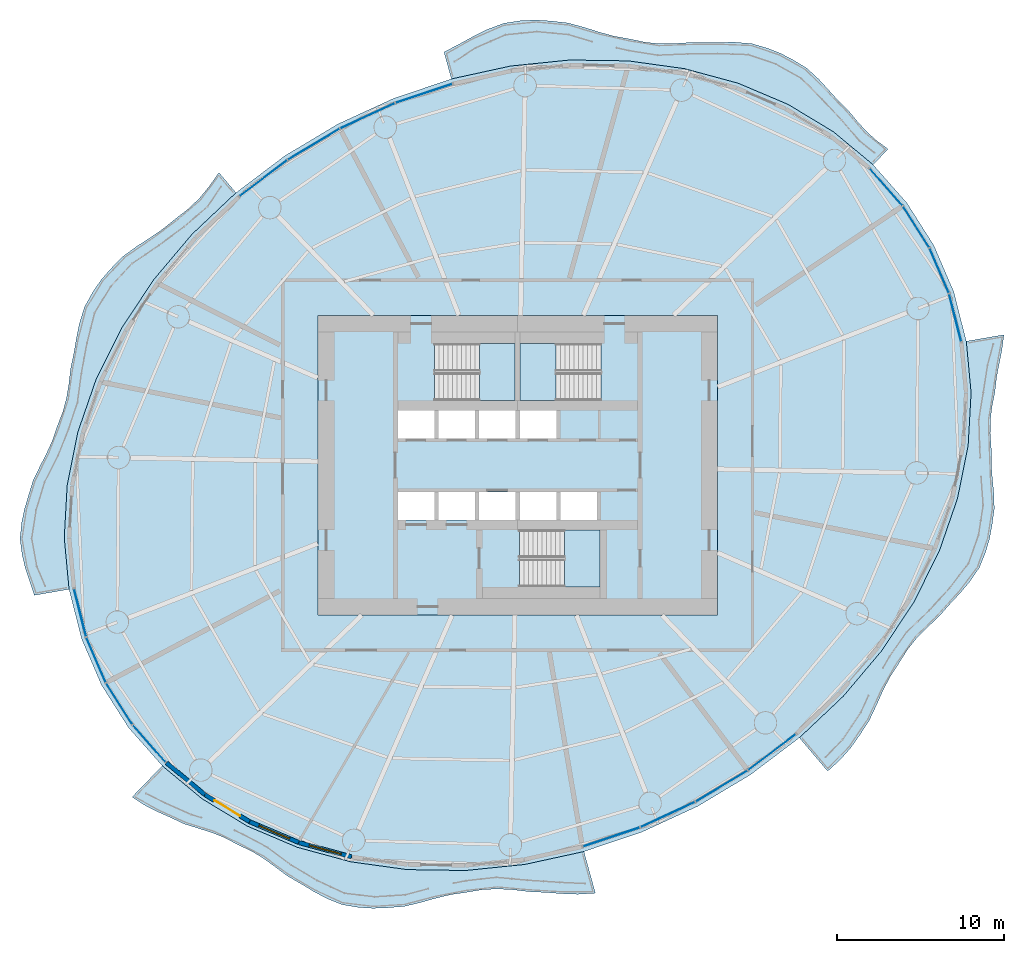
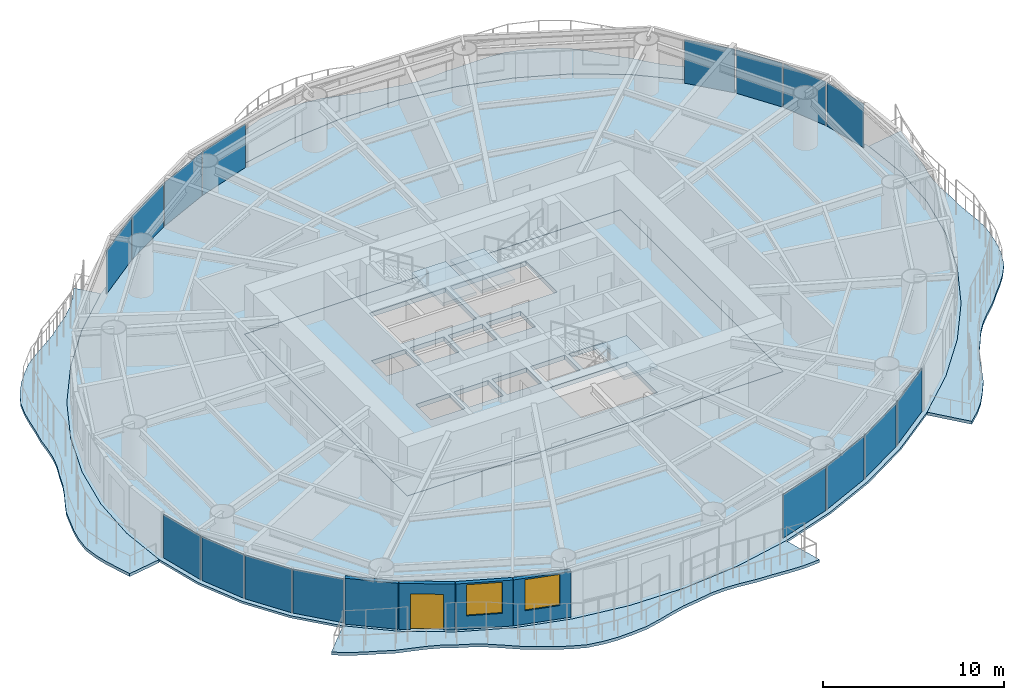
# One storey, part 7 of 16: 16 plates, 9 slabs, 4 walls, 2 windows, 1 door, 3 openings, 19 elements without a shape of their own.
"""IFC4 building model written with IfcOpenShell, lengths in metres."""

from ifc_helpers import new_model, si_unit, direction, frame, frame_2d, origin, origin_2d, place, context, subcontext, project, spatial, polyline, rectangle, outline, extrude, material, layer, layer_set, type_object, element, fill, aggregate, save


model = new_model("IFC4")

# Units and contexts
model_context = context("Model", 3, precision=1e-05, world=origin(), true_north=direction((0.0, 1.0)))
body_context = subcontext(model_context, "Body", "Model", "MODEL_VIEW")
ifc_project = project(units=[si_unit("LENGTHUNIT", "METRE"), si_unit("AREAUNIT", "SQUARE_METRE"), si_unit("VOLUMEUNIT", "CUBIC_METRE"), si_unit("PLANEANGLEUNIT", "RADIAN"), si_unit("MASSUNIT", "GRAM", prefix="KILO")], contexts=[model_context])

# Site, building, storey
site_placement = place(None, origin())
site = spatial("IfcSite", under=ifc_project, at=site_placement, CompositionType="ELEMENT")
building_placement = place(site_placement, origin())
building = spatial("IfcBuilding", under=site, at=building_placement, Name="Vermilion Reach Broadcast Tower", CompositionType="ELEMENT")
storey_placement = place(building_placement, frame((0.0, 0.0, 147.0)))
storey = spatial("IfcBuildingStorey", under=building, at=storey_placement, Name="L34", CompositionType="ELEMENT", Elevation=147.0)

# Slabs
ifc_material_1 = material(Name="Concrete C40/50", Category="concrete")
ifc_layer_1 = layer(ifc_material_1, 0.199951171875)
ifc_layer_set_1 = layer_set([ifc_layer_1], Name="Balcony slab 200")
slab_type_1 = type_object("IfcSlabType", Name="Balcony slab 200", PredefinedType="FLOOR", material=ifc_layer_set_1)
placement_1 = place(storey_placement, frame((0.0, 0.0, -0.199951171875)))
element("IfcSlab", 1, at=placement_1, inside=storey, type_object=slab_type_1, Name="Balcony slab L34 group 1", PredefinedType="FLOOR", context=body_context, shape_type="SweptSolid", body=[
    extrude(outline(polyline([(15.338623046875, 18.047607421875), (12.9482421875, 20.029296875), (10.23388671875, 21.66796875), (7.24169921875, 22.93603515625), (4.022705078125, 23.8115234375), (0.632568359375, 24.27978515625), (-2.871337890625, 24.33251953125), (-6.428466796875, 23.968994140625), (-9.978515625, 23.195068359375), (-10.425048828125, 24.811767578125), (-9.505126953125, 25.28857421875), (-8.67529296875, 25.746337890625), (-7.836669921875, 26.1640625), (-6.83837890625, 26.5380859375), (-5.80859375, 26.696044921875), (-4.9140625, 26.734619140625), (-4.009521484375, 26.67626953125), (-2.9677734375, 26.556884765625), (-1.9658203125, 26.28173828125), (-1.09375, 26.006591796875), (-0.22119140625, 25.767333984375), (0.73291015625, 25.595703125), (1.6513671875, 25.402587890625), (2.503173828125, 25.31591796875), (3.367431640625, 25.3203125), (4.343994140625, 25.385009765625), (5.310791015625, 25.36962890625), (6.18212890625, 25.39501953125), (7.04833984375, 25.402099609375), (8.065673828125, 25.31689453125), (9.012939453125, 25.03369140625), (9.77099609375, 24.740234375), (10.4951171875, 24.36669921875), (11.348876953125, 23.85205078125), (12.074951171875, 23.183837890625), (12.633544921875, 22.5751953125), (13.18798828125, 21.9599609375), (13.8525390625, 21.30224609375), (14.430908203125, 20.6015625), (14.960693359375, 20.0244140625), (15.5390625, 19.505859375), (16.24560546875, 18.984130859375), (15.338623046875, 18.047607421875)])), origin(), (0.0, 0.0, 1.0), 0.199951171875),
])
element("IfcSlab", 2, at=placement_1, inside=storey, type_object=slab_type_1, Name="Balcony slab L34 group 2", PredefinedType="FLOOR", context=body_context, shape_type="SweptSolid", body=[
    extrude(outline(polyline([(-22.913818359375, 16.363525390625), (-25.554443359375, 13.867919921875), (-27.8603515625, 11.135009765625), (-29.792236328125, 8.21142578125), (-31.317138671875, 5.1474609375), (-32.40869140625, 1.995361328125), (-33.048583984375, -1.19091796875), (-33.225341796875, -4.356689453125), (-32.9365234375, -7.447998046875), (-35.026123046875, -7.8076171875), (-35.32958984375, -6.89208984375), (-35.574462890625, -6.13525390625), (-35.7568359375, -5.372802734375), (-35.88232421875, -4.40625), (-35.78076171875, -3.419921875), (-35.613037109375, -2.63525390625), (-35.382568359375, -1.854248046875), (-35.103271484375, -0.928466796875), (-34.67236328125, -0.0361328125), (-34.286376953125, 0.715087890625), (-33.9443359375, 1.47509765625), (-33.65185546875, 2.333740234375), (-33.317626953125, 3.192626953125), (-33.098388671875, 3.999267578125), (-32.95849609375, 4.83349609375), (-32.84619140625, 5.78955078125), (-32.64306640625, 6.762939453125), (-32.492431640625, 7.643798828125), (-32.315673828125, 8.511474609375), (-32.014404296875, 9.4921875), (-31.51513671875, 10.400146484375), (-31.0185546875, 11.1220703125), (-30.4404296875, 11.7900390625), (-29.7197265625, 12.5263671875), (-28.861572265625, 13.1494140625), (-28.077880859375, 13.657958984375), (-27.31201171875, 14.181396484375), (-26.54345703125, 14.802734375), (-25.759521484375, 15.407470703125), (-25.10498046875, 16.037353515625), (-24.523193359375, 16.744140625), (-23.9384765625, 17.574462890625), (-22.913818359375, 16.363525390625)])), origin(), (0.0, 0.0, 1.0), 0.199951171875),
])
element("IfcSlab", 3, at=placement_1, inside=storey, type_object=slab_type_1, Name="Balcony slab L34 group 3", PredefinedType="FLOOR", context=body_context, shape_type="SweptSolid", body=[
    extrude(outline(polyline([(-27.338623046875, -18.047607421875), (-24.9482421875, -20.029296875), (-22.23388671875, -21.66796875), (-19.24169921875, -22.93603515625), (-16.022705078125, -23.8115234375), (-12.632568359375, -24.27978515625), (-9.128662109375, -24.33251953125), (-5.571533203125, -23.968994140625), (-2.021484375, -23.195068359375), (-1.331298828125, -25.6943359375), (-2.391845703125, -25.761474609375), (-3.3291015625, -25.72607421875), (-4.274658203125, -25.653564453125), (-5.310302734375, -25.605224609375), (-6.31494140625, -25.487548828125), (-7.218505859375, -25.4375), (-8.1123046875, -25.485595703125), (-9.07177734375, -25.64599609375), (-10.02685546875, -25.785400390625), (-10.906005859375, -25.995849609375), (-11.785888671875, -26.24365234375), (-12.801025390625, -26.489501953125), (-13.8125, -26.570556640625), (-14.68115234375, -26.6044921875), (-15.53759765625, -26.55224609375), (-16.547607421875, -26.38134765625), (-17.4833984375, -26.003662109375), (-18.238037109375, -25.600830078125), (-18.98046875, -25.15283203125), (-19.83740234375, -24.6572265625), (-20.60888671875, -24.080078125), (-21.28466796875, -23.592529296875), (-21.987060546875, -23.16796875), (-22.8037109375, -22.78466796875), (-23.584716796875, -22.3720703125), (-24.329345703125, -22.0712890625), (-25.105712890625, -21.823486328125), (-26.020263671875, -21.538330078125), (-26.87451171875, -21.136474609375), (-27.613037109375, -20.811279296875), (-28.325927734375, -20.455078125), (-29.155517578125, -19.923583984375), (-27.338623046875, -18.047607421875)])), origin(), (0.0, 0.0, 1.0), 0.199951171875),
])
element("IfcSlab", 4, at=placement_1, inside=storey, type_object=slab_type_1, Name="Balcony slab L34 group 4", PredefinedType="FLOOR", context=body_context, shape_type="SweptSolid", body=[
    extrude(outline(polyline([(10.913818359375, -16.363525390625), (13.554443359375, -13.867919921875), (15.8603515625, -11.135009765625), (17.792236328125, -8.21142578125), (19.317138671875, -5.1474609375), (20.40869140625, -1.995361328125), (21.048583984375, 1.19091796875), (21.225341796875, 4.356689453125), (20.9365234375, 7.447998046875), (23.200927734375, 7.837646484375), (23.068115234375, 6.86767578125), (22.905517578125, 6.07275390625), (22.756103515625, 5.279296875), (22.655029296875, 4.38330078125), (22.478759765625, 3.49267578125), (22.385498046875, 2.703857421875), (22.374755859375, 1.91064453125), (22.437255859375, 1.013427734375), (22.437255859375, 0.083251953125), (22.501953125, -0.75830078125), (22.583984375, -1.603515625), (22.62255859375, -2.59814453125), (22.48388671875, -3.5966796875), (22.329833984375, -4.42578125), (22.09375, -5.2265625), (21.716552734375, -6.1552734375), (21.134033203125, -7.00732421875), (20.5634765625, -7.67919921875), (19.956787109375, -8.3330078125), (19.297607421875, -9.0791015625), (18.561767578125, -9.77001953125), (17.938720703125, -10.408203125), (17.3896484375, -11.095703125), (16.88330078125, -11.900634765625), (16.35205078125, -12.719482421875), (15.93212890625, -13.534912109375), (15.55224609375, -14.384033203125), (15.105224609375, -15.333740234375), (14.52734375, -16.2197265625), (13.991455078125, -16.97509765625), (13.390625, -17.661865234375), (12.611328125, -18.369384765625), (10.913818359375, -16.363525390625)])), origin(), (0.0, 0.0, 1.0), 0.199951171875),
])
ifc_material_2 = material(Name="Concrete C40", Category="concrete")
ifc_layer_2 = layer(ifc_material_2, 0.300048828125)
ifc_layer_set_2 = layer_set([ifc_layer_2], Name="Core floor slab 300 mm Concrete C40")
slab_type_2 = type_object("IfcSlabType", Name="Core floor slab 300 mm Concrete C40", PredefinedType="FLOOR", material=ifc_layer_set_2)
slab_5_placement = place(storey_placement, frame((0.0, 0.0, -0.300048828125)))
element("IfcSlab", 5, at=slab_5_placement, inside=storey, type_object=slab_type_2, Name="L34 core floor", PredefinedType="FLOOR", context=body_context, shape_type="SweptSolid", body=[
    extrude(outline(polyline([(-18.0, -9.0), (6.0, -9.0), (6.0, 9.0), (-18.0, 9.0), (-18.0, -9.0)]), holes=[polyline([(-13.199951171875, 1.60009765625), (-11.00830078125, 1.60009765625), (-11.00830078125, 3.280029296875), (-13.199951171875, 3.280029296875), (-13.199951171875, 1.60009765625)]), polyline([(-10.75830078125, 1.60009765625), (-8.566650390625, 1.60009765625), (-8.566650390625, 3.280029296875), (-10.75830078125, 3.280029296875), (-10.75830078125, 1.60009765625)]), polyline([(-8.316650390625, 1.60009765625), (-6.125, 1.60009765625), (-6.125, 3.280029296875), (-8.316650390625, 3.280029296875), (-8.316650390625, 1.60009765625)]), polyline([(-5.875, 1.60009765625), (-3.683349609375, 1.60009765625), (-3.683349609375, 3.280029296875), (-5.875, 3.280029296875), (-5.875, 1.60009765625)]), polyline([(-13.199951171875, -3.280029296875), (-11.00830078125, -3.280029296875), (-11.00830078125, -1.60009765625), (-13.199951171875, -1.60009765625), (-13.199951171875, -3.280029296875)]), polyline([(-10.75830078125, -3.280029296875), (-8.566650390625, -3.280029296875), (-8.566650390625, -1.60009765625), (-10.75830078125, -1.60009765625), (-10.75830078125, -3.280029296875)]), polyline([(-8.316650390625, -3.280029296875), (-6.125, -3.280029296875), (-6.125, -1.60009765625), (-8.316650390625, -1.60009765625), (-8.316650390625, -3.280029296875)]), polyline([(-5.875, -3.280029296875), (-3.683349609375, -3.280029296875), (-3.683349609375, -1.60009765625), (-5.875, -1.60009765625), (-5.875, -3.280029296875)]), polyline([(-3.433349609375, -3.280029296875), (-1.24169921875, -3.280029296875), (-1.24169921875, -1.60009765625), (-3.433349609375, -1.60009765625), (-3.433349609375, -3.280029296875)]), polyline([(-10.999267578125, 3.8798828125), (-6.14990234375, 3.8798828125), (-6.14990234375, 7.300048828125), (-10.999267578125, 7.300048828125), (-10.999267578125, 3.8798828125)]), polyline([(-1.000732421875, 7.300048828125), (-5.85009765625, 7.300048828125), (-5.85009765625, 3.8798828125), (-1.000732421875, 3.8798828125), (-1.000732421875, 7.300048828125)]), polyline([(-5.8994140625, -7.300048828125), (-1.050048828125, -7.300048828125), (-1.050048828125, -3.8798828125), (-5.8994140625, -3.8798828125), (-5.8994140625, -7.300048828125)])]), origin(), (0.0, 0.0, 1.0), 0.300048828125),
])

# Stair, slab
ifc_material_3 = material(Name="Concrete C40", Category="concrete")
stair_type = type_object("IfcStairType", Name="Exit stair RC 22 risers 164 mm", PredefinedType="HALF_TURN_STAIR", material=ifc_material_3)
placement_2 = place(storey_placement, origin())
stair_1 = element("IfcStair", 6, at=placement_2, inside=storey, type_object=stair_type, Name="L34 Exit stair ST1", PredefinedType="HALF_TURN_STAIR")
ifc_material_4 = material(Name="Concrete C40", Category="concrete")
ifc_layer_3 = layer(ifc_material_4, 0.199951171875)
ifc_layer_set_3 = layer_set([ifc_layer_3], Name="Exit stair landing Concrete C40")
slab_type_3 = type_object("IfcSlabType", Name="Exit stair landing Concrete C40", PredefinedType="LANDING", material=ifc_layer_set_3)
placement_3 = place(storey_placement, frame((0.0, 0.0, 1.60009765625)))
slab_6 = element("IfcSlab", 7, at=placement_3, type_object=slab_type_3, Name="ST1 landing 1", PredefinedType="LANDING", context=body_context, shape_type="SweptSolid", body=[
    extrude(outline(polyline([(-8.300048828125, 3.8798828125), (-6.14990234375, 3.8798828125), (-6.14990234375, 7.300048828125), (-8.300048828125, 7.300048828125), (-8.300048828125, 3.8798828125)])), origin(), (0.0, 0.0, 1.0), 0.199951171875),
])
aggregate(stair_1, [slab_6])

stair_2 = element("IfcStair", 8, at=placement_2, inside=storey, type_object=stair_type, Name="L34 Exit stair ST2", PredefinedType="HALF_TURN_STAIR")
slab_7 = element("IfcSlab", 9, at=placement_3, type_object=slab_type_3, Name="ST2 landing 1", PredefinedType="LANDING", context=body_context, shape_type="SweptSolid", body=[
    extrude(outline(polyline([(-3.699951171875, 7.300048828125), (-5.85009765625, 7.300048828125), (-5.85009765625, 3.8798828125), (-3.699951171875, 3.8798828125), (-3.699951171875, 7.300048828125)])), origin(), (0.0, 0.0, 1.0), 0.199951171875),
])
aggregate(stair_2, [slab_7])

stair_3 = element("IfcStair", 10, at=placement_2, inside=storey, type_object=stair_type, Name="L34 Exit stair ST3", PredefinedType="HALF_TURN_STAIR")
slab_8 = element("IfcSlab", 11, at=placement_3, type_object=slab_type_3, Name="ST3 landing 1", PredefinedType="LANDING", context=body_context, shape_type="SweptSolid", body=[
    extrude(outline(polyline([(-3.199951171875, -7.300048828125), (-1.050048828125, -7.300048828125), (-1.050048828125, -3.8798828125), (-3.199951171875, -3.8798828125), (-3.199951171875, -7.300048828125)])), origin(), (0.0, 0.0, 1.0), 0.199951171875),
])
aggregate(stair_3, [slab_8])

# Slab
ifc_material_5 = material(Name="Concrete C40", Category="concrete")
ifc_layer_4 = layer(ifc_material_5, 0.14990234375)
ifc_layer_set_4 = layer_set([ifc_layer_4], Name="Floor slab Concrete C40 composite 150")
slab_type_4 = type_object("IfcSlabType", Name="Floor slab Concrete C40 composite 150", PredefinedType="FLOOR", material=ifc_layer_set_4)
slab_9_placement = place(storey_placement, frame((0.0, 0.0, -0.14990234375)))
element("IfcSlab", 12, at=slab_9_placement, inside=storey, type_object=slab_type_4, Name="Floor slab L34", PredefinedType="FLOOR", context=body_context, shape_type="SweptSolid", body=[
    extrude(outline(polyline([(18.989013671875, 13.197509765625), (17.36376953125, 15.75732421875), (15.338623046875, 18.047607421875), (12.9482421875, 20.029296875), (10.23388671875, 21.66796875), (7.24169921875, 22.93603515625), (4.022705078125, 23.8115234375), (0.632568359375, 24.27978515625), (-2.871337890625, 24.33251953125), (-6.428466796875, 23.968994140625), (-9.978515625, 23.195068359375), (-13.46044921875, 22.024658203125), (-16.814697265625, 20.47705078125), (-19.98388671875, 18.579345703125), (-22.913818359375, 16.363525390625), (-25.554443359375, 13.867919921875), (-27.8603515625, 11.135009765625), (-29.792236328125, 8.21142578125), (-31.317138671875, 5.1474609375), (-32.40869140625, 1.995361328125), (-33.048583984375, -1.19091796875), (-33.225341796875, -4.356689453125), (-32.9365234375, -7.447998046875), (-32.186767578125, -10.411865234375), (-30.989013671875, -13.197509765625), (-29.36376953125, -15.75732421875), (-27.338623046875, -18.047607421875), (-24.9482421875, -20.029296875), (-22.23388671875, -21.66796875), (-19.24169921875, -22.93603515625), (-16.022705078125, -23.8115234375), (-12.632568359375, -24.27978515625), (-9.128662109375, -24.33251953125), (-5.571533203125, -23.968994140625), (-2.021484375, -23.195068359375), (1.46044921875, -22.024658203125), (4.814697265625, -20.47705078125), (7.98388671875, -18.579345703125), (10.913818359375, -16.363525390625), (13.554443359375, -13.867919921875), (15.8603515625, -11.135009765625), (17.792236328125, -8.21142578125), (19.317138671875, -5.1474609375), (20.40869140625, -1.995361328125), (21.048583984375, 1.19091796875), (21.225341796875, 4.356689453125), (20.9365234375, 7.447998046875), (20.186767578125, 10.411865234375), (18.989013671875, 13.197509765625)]), holes=[polyline([(-18.0, -9.0), (6.0, -9.0), (6.0, 9.0), (-18.0, 9.0), (-18.0, -9.0)])]), origin(), (0.0, 0.0, 1.0), 0.14990234375),
])

# Curtain wall, plate
ifc_material_6 = material(Name="Low-e laminated clear glass in aluminium frame", Category="aluminium")
curtain_wall_type = type_object("IfcCurtainWallType", Name="Slot curtain wall", PredefinedType="NOTDEFINED", material=ifc_material_6)
curtain_wall_1 = element("IfcCurtainWall", 13, at=placement_2, inside=storey, type_object=curtain_wall_type, Name="Slot curtain wall L34 46", PredefinedType="NOTDEFINED")
ifc_material_7 = material(Name="Low-e laminated clear glass", Category="glass")
ifc_layer_5 = layer(ifc_material_7, 0.028076171875)
ifc_layer_set_5 = layer_set([ifc_layer_5], Name="Slot glass panel")
plate_type = type_object("IfcPlateType", Name="Slot glass panel", PredefinedType="CURTAIN_PANEL", material=ifc_layer_set_5)
plate_1_placement = place(storey_placement, frame((20.271728515625, 8.8564453125, 0.0), z_axis=(0.0, 0.0, 1.0), x_axis=(-0.245230734897, 0.969464742351, 0.0)))
plate_1 = element("IfcPlate", 14, at=plate_1_placement, type_object=plate_type, Name="Slot glass panel L34 46", PredefinedType="CURTAIN_PANEL", context=body_context, shape_type="SweptSolid", body=[
    extrude(rectangle(XDim=2.93017578125, YDim=0.028076171875, at=origin_2d()), origin(), (0.0, 0.0, 1.0), 2.949951171875),
])
aggregate(curtain_wall_1, [plate_1])

curtain_wall_2 = element("IfcCurtainWall", 15, at=placement_2, inside=storey, type_object=curtain_wall_type, Name="Slot curtain wall L34 47", PredefinedType="NOTDEFINED")
plate_2_placement = place(storey_placement, frame((19.313232421875, 11.6865234375, 0.0), z_axis=(0.0, 0.0, 1.0), x_axis=(-0.395012862676, 0.91867558927, 0.0)))
plate_2 = element("IfcPlate", 16, at=plate_2_placement, type_object=plate_type, Name="Slot glass panel L34 47", PredefinedType="CURTAIN_PANEL", context=body_context, shape_type="SweptSolid", body=[
    extrude(rectangle(XDim=2.904541015625, YDim=0.028076171875, at=origin_2d()), origin(), (0.0, 0.0, 1.0), 2.949951171875),
])
aggregate(curtain_wall_2, [plate_2])

curtain_wall_3 = element("IfcCurtainWall", 17, at=placement_2, inside=storey, type_object=curtain_wall_type, Name="Slot curtain wall L34 00", PredefinedType="NOTDEFINED")
plate_3_placement = place(storey_placement, frame((17.923828125, 14.317138671875, 0.0), z_axis=(0.0, 0.0, 1.0), x_axis=(-0.536021584817, 0.844204276588, 0.0)))
plate_3 = element("IfcPlate", 18, at=plate_3_placement, type_object=plate_type, Name="Slot glass panel L34 00", PredefinedType="CURTAIN_PANEL", context=body_context, shape_type="SweptSolid", body=[
    extrude(rectangle(XDim=2.904541015625, YDim=0.028076171875, at=origin_2d()), origin(), (0.0, 0.0, 1.0), 2.949951171875),
])
aggregate(curtain_wall_3, [plate_3])

curtain_wall_4 = element("IfcCurtainWall", 19, at=placement_2, inside=storey, type_object=curtain_wall_type, Name="Slot curtain wall L34 01", PredefinedType="NOTDEFINED")
plate_4_placement = place(storey_placement, frame((16.126953125, 16.70458984375, 0.0), z_axis=(0.0, 0.0, 1.0), x_axis=(-0.662417961592, 0.749134463338, 0.0)))
plate_4 = element("IfcPlate", 20, at=plate_4_placement, type_object=plate_type, Name="Slot glass panel L34 01", PredefinedType="CURTAIN_PANEL", context=body_context, shape_type="SweptSolid", body=[
    extrude(rectangle(XDim=2.93017578125, YDim=0.028076171875, at=origin_2d()), origin(), (0.0, 0.0, 1.0), 2.949951171875),
])
aggregate(curtain_wall_4, [plate_4])

curtain_wall_5 = element("IfcCurtainWall", 21, at=placement_2, inside=storey, type_object=curtain_wall_type, Name="Slot curtain wall L34 10", PredefinedType="NOTDEFINED")
plate_5_placement = place(storey_placement, frame((-11.6240234375, 22.325927734375, 0.0), z_axis=(0.0, 0.0, 1.0), x_axis=(-0.947865995786, -0.318669192162, 0.0)))
plate_5 = element("IfcPlate", 22, at=plate_5_placement, type_object=plate_type, Name="Slot glass panel L34 10", PredefinedType="CURTAIN_PANEL", context=body_context, shape_type="SweptSolid", body=[
    extrude(rectangle(XDim=3.560791015625, YDim=0.028076171875, at=origin_2d()), origin(), (0.0, 0.0, 1.0), 2.949951171875),
])
aggregate(curtain_wall_5, [plate_5])

curtain_wall_6 = element("IfcCurtainWall", 23, at=placement_2, inside=storey, type_object=curtain_wall_type, Name="Slot curtain wall L34 11", PredefinedType="NOTDEFINED")
plate_6_placement = place(storey_placement, frame((-15.011962890625, 20.978759765625, 0.0), z_axis=(0.0, 0.0, 1.0), x_axis=(-0.908028575122, -0.418908231909, 0.0)))
plate_6 = element("IfcPlate", 24, at=plate_6_placement, type_object=plate_type, Name="Slot glass panel L34 11", PredefinedType="CURTAIN_PANEL", context=body_context, shape_type="SweptSolid", body=[
    extrude(rectangle(XDim=3.581787109375, YDim=0.028076171875, at=origin_2d()), origin(), (0.0, 0.0, 1.0), 2.949951171875),
])
aggregate(curtain_wall_6, [plate_6])

curtain_wall_7 = element("IfcCurtainWall", 25, at=placement_2, inside=storey, type_object=curtain_wall_type, Name="Slot curtain wall L34 12", PredefinedType="NOTDEFINED")
plate_7_placement = place(storey_placement, frame((-18.245361328125, 19.271240234375, 0.0), z_axis=(0.0, 0.0, 1.0), x_axis=(-0.857936510534, -0.51375572395, 0.0)))
plate_7 = element("IfcPlate", 26, at=plate_7_placement, type_object=plate_type, Name="Slot glass panel L34 12", PredefinedType="CURTAIN_PANEL", context=body_context, shape_type="SweptSolid", body=[
    extrude(rectangle(XDim=3.581787109375, YDim=0.028076171875, at=origin_2d()), origin(), (0.0, 0.0, 1.0), 2.949951171875),
])
aggregate(curtain_wall_7, [plate_7])

curtain_wall_8 = element("IfcCurtainWall", 27, at=placement_2, inside=storey, type_object=curtain_wall_type, Name="Slot curtain wall L34 13", PredefinedType="NOTDEFINED")
plate_8_placement = place(storey_placement, frame((-21.26806640625, 17.232666015625, 0.0), z_axis=(0.0, 0.0, 1.0), x_axis=(-0.797609813863, -0.603173760064, 0.0)))
plate_8 = element("IfcPlate", 28, at=plate_8_placement, type_object=plate_type, Name="Slot glass panel L34 13", PredefinedType="CURTAIN_PANEL", context=body_context, shape_type="SweptSolid", body=[
    extrude(rectangle(XDim=3.560791015625, YDim=0.028076171875, at=origin_2d()), origin(), (0.0, 0.0, 1.0), 2.949951171875),
])
aggregate(curtain_wall_8, [plate_8])

curtain_wall_9 = element("IfcCurtainWall", 29, at=placement_2, inside=storey, type_object=curtain_wall_type, Name="Slot curtain wall L34 22", PredefinedType="NOTDEFINED")
plate_9_placement = place(storey_placement, frame((-32.271728515625, -8.8564453125, 0.0), z_axis=(0.0, 0.0, 1.0), x_axis=(0.245230734897, -0.969464742351, 0.0)))
plate_9 = element("IfcPlate", 30, at=plate_9_placement, type_object=plate_type, Name="Slot glass panel L34 22", PredefinedType="CURTAIN_PANEL", context=body_context, shape_type="SweptSolid", body=[
    extrude(rectangle(XDim=2.93017578125, YDim=0.028076171875, at=origin_2d()), origin(), (0.0, 0.0, 1.0), 2.949951171875),
])
aggregate(curtain_wall_9, [plate_9])

curtain_wall_10 = element("IfcCurtainWall", 31, at=placement_2, inside=storey, type_object=curtain_wall_type, Name="Slot curtain wall L34 23", PredefinedType="NOTDEFINED")
plate_10_placement = place(storey_placement, frame((-31.313232421875, -11.6865234375, 0.0), z_axis=(0.0, 0.0, 1.0), x_axis=(0.395012862676, -0.91867558927, 0.0)))
plate_10 = element("IfcPlate", 32, at=plate_10_placement, type_object=plate_type, Name="Slot glass panel L34 23", PredefinedType="CURTAIN_PANEL", context=body_context, shape_type="SweptSolid", body=[
    extrude(rectangle(XDim=2.904541015625, YDim=0.028076171875, at=origin_2d()), origin(), (0.0, 0.0, 1.0), 2.949951171875),
])
aggregate(curtain_wall_10, [plate_10])

curtain_wall_11 = element("IfcCurtainWall", 33, at=placement_2, inside=storey, type_object=curtain_wall_type, Name="Slot curtain wall L34 24", PredefinedType="NOTDEFINED")
plate_11_placement = place(storey_placement, frame((-29.923828125, -14.317138671875, 0.0), z_axis=(0.0, 0.0, 1.0), x_axis=(0.536021584817, -0.844204276588, 0.0)))
plate_11 = element("IfcPlate", 34, at=plate_11_placement, type_object=plate_type, Name="Slot glass panel L34 24", PredefinedType="CURTAIN_PANEL", context=body_context, shape_type="SweptSolid", body=[
    extrude(rectangle(XDim=2.904541015625, YDim=0.028076171875, at=origin_2d()), origin(), (0.0, 0.0, 1.0), 2.949951171875),
])
aggregate(curtain_wall_11, [plate_11])

curtain_wall_12 = element("IfcCurtainWall", 35, at=placement_2, inside=storey, type_object=curtain_wall_type, Name="Slot curtain wall L34 25", PredefinedType="NOTDEFINED")
plate_12_placement = place(storey_placement, frame((-28.126953125, -16.70458984375, 0.0), z_axis=(0.0, 0.0, 1.0), x_axis=(0.662417961592, -0.749134463338, 0.0)))
plate_12 = element("IfcPlate", 36, at=plate_12_placement, type_object=plate_type, Name="Slot glass panel L34 25", PredefinedType="CURTAIN_PANEL", context=body_context, shape_type="SweptSolid", body=[
    extrude(rectangle(XDim=2.93017578125, YDim=0.028076171875, at=origin_2d()), origin(), (0.0, 0.0, 1.0), 2.949951171875),
])
aggregate(curtain_wall_12, [plate_12])

curtain_wall_13 = element("IfcCurtainWall", 37, at=placement_2, inside=storey, type_object=curtain_wall_type, Name="Slot curtain wall L34 34", PredefinedType="NOTDEFINED")
plate_13_placement = place(storey_placement, frame((-0.3759765625, -22.325927734375, 0.0), z_axis=(0.0, 0.0, 1.0), x_axis=(0.947865995786, 0.318669192162, 0.0)))
plate_13 = element("IfcPlate", 38, at=plate_13_placement, type_object=plate_type, Name="Slot glass panel L34 34", PredefinedType="CURTAIN_PANEL", context=body_context, shape_type="SweptSolid", body=[
    extrude(rectangle(XDim=3.560791015625, YDim=0.028076171875, at=origin_2d()), origin(), (0.0, 0.0, 1.0), 2.949951171875),
])
aggregate(curtain_wall_13, [plate_13])

curtain_wall_14 = element("IfcCurtainWall", 39, at=placement_2, inside=storey, type_object=curtain_wall_type, Name="Slot curtain wall L34 35", PredefinedType="NOTDEFINED")
plate_14_placement = place(storey_placement, frame((3.011962890625, -20.978759765625, 0.0), z_axis=(0.0, 0.0, 1.0), x_axis=(0.908028575122, 0.418908231909, 0.0)))
plate_14 = element("IfcPlate", 40, at=plate_14_placement, type_object=plate_type, Name="Slot glass panel L34 35", PredefinedType="CURTAIN_PANEL", context=body_context, shape_type="SweptSolid", body=[
    extrude(rectangle(XDim=3.581787109375, YDim=0.028076171875, at=origin_2d()), origin(), (0.0, 0.0, 1.0), 2.949951171875),
])
aggregate(curtain_wall_14, [plate_14])

curtain_wall_15 = element("IfcCurtainWall", 41, at=placement_2, inside=storey, type_object=curtain_wall_type, Name="Slot curtain wall L34 36", PredefinedType="NOTDEFINED")
plate_15_placement = place(storey_placement, frame((6.245361328125, -19.271240234375, 0.0), z_axis=(0.0, 0.0, 1.0), x_axis=(0.857936510534, 0.51375572395, 0.0)))
plate_15 = element("IfcPlate", 42, at=plate_15_placement, type_object=plate_type, Name="Slot glass panel L34 36", PredefinedType="CURTAIN_PANEL", context=body_context, shape_type="SweptSolid", body=[
    extrude(rectangle(XDim=3.581787109375, YDim=0.028076171875, at=origin_2d()), origin(), (0.0, 0.0, 1.0), 2.949951171875),
])
aggregate(curtain_wall_15, [plate_15])

curtain_wall_16 = element("IfcCurtainWall", 43, at=placement_2, inside=storey, type_object=curtain_wall_type, Name="Slot curtain wall L34 37", PredefinedType="NOTDEFINED")
plate_16_placement = place(storey_placement, frame((9.26806640625, -17.232666015625, 0.0), z_axis=(0.0, 0.0, 1.0), x_axis=(0.797609813863, 0.603173760064, 0.0)))
plate_16 = element("IfcPlate", 44, at=plate_16_placement, type_object=plate_type, Name="Slot glass panel L34 37", PredefinedType="CURTAIN_PANEL", context=body_context, shape_type="SweptSolid", body=[
    extrude(rectangle(XDim=3.560791015625, YDim=0.028076171875, at=origin_2d()), origin(), (0.0, 0.0, 1.0), 2.949951171875),
])
aggregate(curtain_wall_16, [plate_16])

# Wall
ifc_material_8 = material(Name="Terracotta rainscreen cladding", Category="masonry")
ifc_layer_6 = layer(ifc_material_8, 0.25)
ifc_layer_set_6 = layer_set([ifc_layer_6], Name="Terracotta rainscreen wall 250")
wall_type = type_object("IfcWallType", Name="Terracotta rainscreen wall 250", PredefinedType="SOLIDWALL", material=ifc_layer_set_6)
wall_1_placement = place(storey_placement, frame((-27.087646484375, -17.8671875, 0.0), z_axis=(0.0, 0.0, 1.0), x_axis=(0.769904678532, -0.638158903389, 0.0)))
element("IfcWall", 45, at=wall_1_placement, inside=storey, type_object=wall_type, Name="External wall L34 26", PredefinedType="SOLIDWALL", context=body_context, shape_type="SweptSolid", body=[
    extrude(rectangle(XDim=2.990966796875, YDim=0.25, at=frame_2d((1.49560546875, 0.0))), origin(), (0.0, 0.0, 1.0), 3.10009765625),
])

# Wall, opening, door
wall_2_placement = place(storey_placement, frame((-24.763427734375, -19.791259765625, 0.0), z_axis=(0.0, 0.0, 1.0), x_axis=(0.856079561846, -0.516844061386, 0.0)))
wall_2 = element("IfcWall", 46, at=wall_2_placement, inside=storey, type_object=wall_type, Name="External wall L34 27", PredefinedType="SOLIDWALL", context=body_context, shape_type="SweptSolid", body=[
    extrude(rectangle(XDim=3.10107421875, YDim=0.25, at=frame_2d((1.550537109375, 0.0))), origin(), (0.0, 0.0, 1.0), 3.10009765625),
])
opening_1_placement = place(wall_2_placement, frame((0.64990234375, 0.0, 0.0)))
opening_1 = element("IfcOpeningElement", 47, at=opening_1_placement, cuts=wall_2, Name="Opening D70", PredefinedType="OPENING", context=body_context, shape_type="SweptSolid", body=[
    extrude(rectangle(XDim=1.800048828125, YDim=2.39990234375, at=frame_2d((0.89990234375, 1.199951171875))), frame((0.0, 0.135009765625, 0.0), z_axis=(0.0, -1.0, 0.0), x_axis=(1.0, 0.0, 0.0)), (0.0, 0.0, 1.0), 0.27001953125),
])
ifc_material_9 = material(Name="Low-e laminated clear glass in aluminium frame", Category="aluminium")
door_type = type_object("IfcDoorType", Name="Balcony sliding door 1800 x 2400", OperationType="DOUBLE_DOOR_SLIDING", PredefinedType="DOOR", material=ifc_material_9)
door_placement = place(opening_1_placement, origin())
door = element("IfcDoor", 48, at=door_placement, inside=storey, type_object=door_type, Name="Balcony door L34 run 07", OperationType="DOUBLE_DOOR_SLIDING", OverallHeight=2.39990234375, OverallWidth=1.800048828125, PredefinedType="DOOR", context=body_context, shape_type="SweptSolid", body=[
    extrude(rectangle(XDim=1.800048828125, YDim=2.39990234375, at=frame_2d((0.89990234375, 1.199951171875))), frame((0.0, 0.02490234375, 0.0), z_axis=(0.0, -1.0, 0.0), x_axis=(1.0, 0.0, 0.0)), (0.0, 0.0, 1.0), 0.050048828125),
])
fill(opening_1, door)

# Wall, opening, window
wall_3_placement = place(storey_placement, frame((-22.085693359375, -21.40576171875, 0.0), z_axis=(0.0, 0.0, 1.0), x_axis=(0.920752187735, -0.390147931919, 0.0)))
wall_3 = element("IfcWall", 49, at=wall_3_placement, inside=storey, type_object=wall_type, Name="External wall L34 28", PredefinedType="SOLIDWALL", context=body_context, shape_type="SweptSolid", body=[
    extrude(rectangle(XDim=3.1826171875, YDim=0.25, at=frame_2d((1.59130859375, 0.0))), origin(), (0.0, 0.0, 1.0), 3.10009765625),
])
opening_2_placement = place(wall_3_placement, frame((0.59130859375, 0.0, 0.89990234375)))
opening_2 = element("IfcOpeningElement", 50, at=opening_2_placement, cuts=wall_3, Name="Opening W03", PredefinedType="OPENING", context=body_context, shape_type="SweptSolid", body=[
    extrude(rectangle(XDim=2.0, YDim=2.10009765625, at=frame_2d((1.0, 1.050048828125))), frame((0.0, 0.135009765625, 0.0), z_axis=(0.0, -1.0, 0.0), x_axis=(1.0, 0.0, 0.0)), (0.0, 0.0, 1.0), 0.27001953125),
])
ifc_material_10 = material(Name="Low-e laminated clear glass in aluminium frame", Category="aluminium")
window_type = type_object("IfcWindowType", Name="Punched window 2000 x 2100 sill 900", PartitioningType="SINGLE_PANEL", PredefinedType="WINDOW", material=ifc_material_10)
window_1_placement = place(opening_2_placement, origin())
window_1 = element("IfcWindow", 51, at=window_1_placement, inside=storey, type_object=window_type, Name="Window L34 28", OverallHeight=2.10009765625, OverallWidth=2.0, PartitioningType="SINGLE_PANEL", PredefinedType="WINDOW", context=body_context, shape_type="SweptSolid", body=[
    extrude(rectangle(XDim=2.0, YDim=2.10009765625, at=frame_2d((1.0, 1.050048828125))), frame((0.0, 0.030029296875, 0.0), z_axis=(0.0, -1.0, 0.0), x_axis=(1.0, 0.0, 0.0)), (0.0, 0.0, 1.0), 0.06005859375),
])
fill(opening_2, window_1)

wall_4_placement = place(storey_placement, frame((-19.131591796875, -22.65576171875, 0.0), z_axis=(0.0, 0.0, 1.0), x_axis=(0.964946127674, -0.262448034261, 0.0)))
wall_4 = element("IfcWall", 52, at=wall_4_placement, inside=storey, type_object=wall_type, Name="External wall L34 29", PredefinedType="SOLIDWALL", context=body_context, shape_type="SweptSolid", body=[
    extrude(rectangle(XDim=3.271728515625, YDim=0.25, at=frame_2d((1.6357421875, 0.0))), origin(), (0.0, 0.0, 1.0), 3.10009765625),
])
opening_3_placement = place(wall_4_placement, frame((0.635986328125, 0.0, 0.89990234375)))
opening_3 = element("IfcOpeningElement", 53, at=opening_3_placement, cuts=wall_4, Name="Opening W03", PredefinedType="OPENING", context=body_context, shape_type="SweptSolid", body=[
    extrude(rectangle(XDim=2.0, YDim=2.10009765625, at=frame_2d((1.0, 1.050048828125))), frame((0.0, 0.135009765625, 0.0), z_axis=(0.0, -1.0, 0.0), x_axis=(1.0, 0.0, 0.0)), (0.0, 0.0, 1.0), 0.27001953125),
])
window_2_placement = place(opening_3_placement, origin())
window_2 = element("IfcWindow", 54, at=window_2_placement, inside=storey, type_object=window_type, Name="Window L34 29", OverallHeight=2.10009765625, OverallWidth=2.0, PartitioningType="SINGLE_PANEL", PredefinedType="WINDOW", context=body_context, shape_type="SweptSolid", body=[
    extrude(rectangle(XDim=2.0, YDim=2.10009765625, at=frame_2d((1.0, 1.050048828125))), frame((0.0, 0.030029296875, 0.0), z_axis=(0.0, -1.0, 0.0), x_axis=(1.0, 0.0, 0.0)), (0.0, 0.0, 1.0), 0.06005859375),
])
fill(opening_3, window_2)

save(model, "model.ifc")
